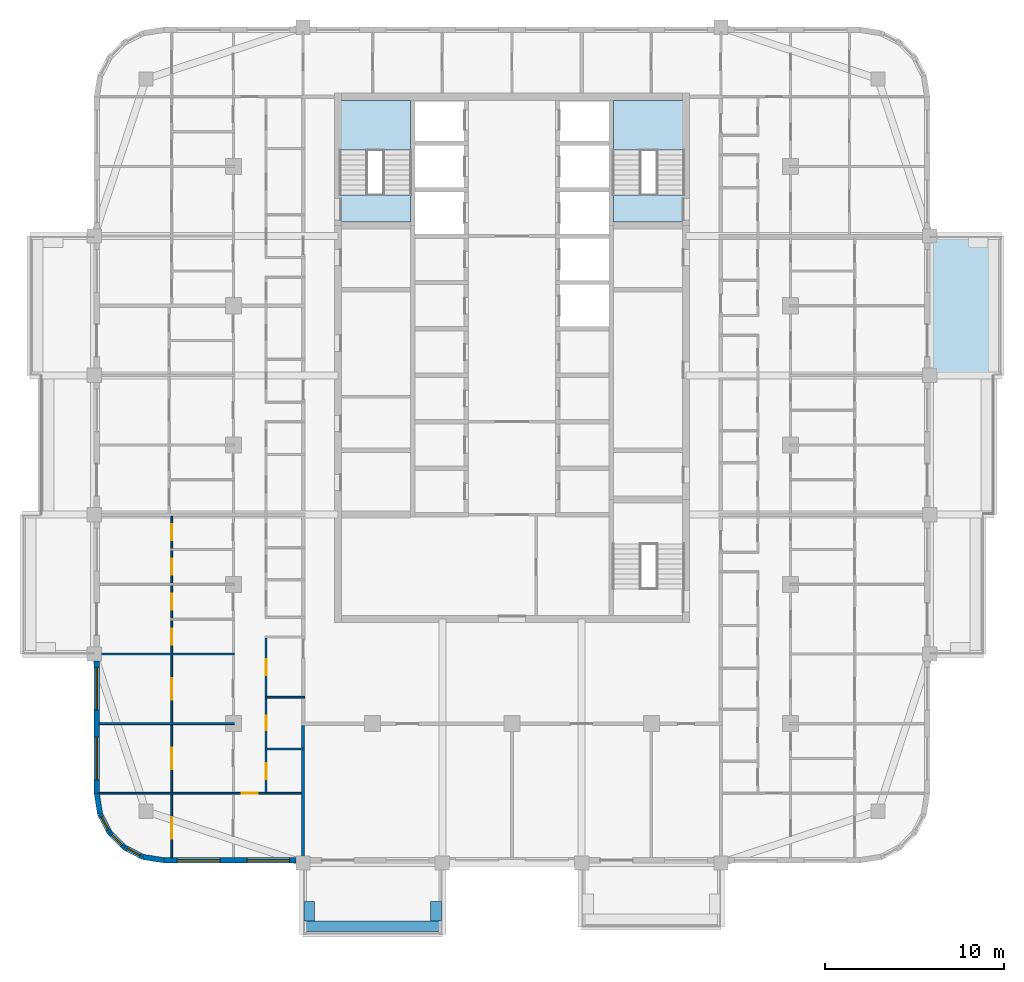
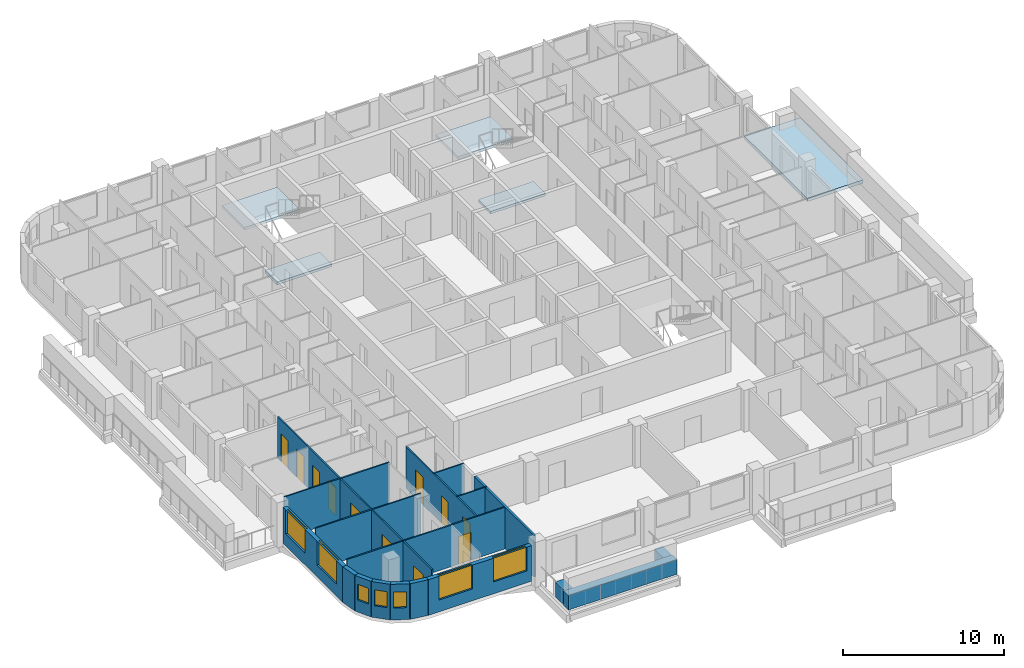
# One storey, part 2 of 16: 18 walls, 11 doors, 7 windows, 5 slabs, 18 openings, 2 elements without a shape of their own.
"""IFC4 building model written with IfcOpenShell, lengths in metres."""

import ifcopenshell
import ifcopenshell.guid

model = None  # the IFC model being written
_history = None  # IfcOwnerHistory: only IFC2X3 demands one
_inside = {}  # id of a spatial element -> (the spatial element, [elements in it])
_under = {}  # id of a project, library or spatial element -> (it, [spatial elements below it])
_declared = {}  # id of a project -> (the project, [libraries it declares])
_typed = {}  # id of a type object -> (the type object, [elements of that type])
_made_of = {}  # id of a material, layer set ... -> (it, [elements and type objects made of it])


def new_model(schema):
    """Start an empty IFC model of exactly this schema.

    Asked for "IFC4X3", IfcOpenShell would pick the latest addendum, in which some entities
    have other attributes; the version numbers below select the first issue.
    IFC2X3 requires an IfcOwnerHistory on every rooted entity: one is made here for all.
    """
    global model, _history
    if schema == "IFC4X3":
        model = ifcopenshell.file(schema_version=(4, 3, 0, 0))
    else:
        model = ifcopenshell.file(schema=schema)
    _inside.clear()
    _under.clear()
    _declared.clear()
    _typed.clear()
    _made_of.clear()
    _history = None
    if model.schema == "IFC2X3":
        org = make("IfcOrganization", Name="unknown")
        user = make(
            "IfcPersonAndOrganization",
            ThePerson=make("IfcPerson", FamilyName="unknown"),
            TheOrganization=org,
        )
        app = make(
            "IfcApplication",
            ApplicationDeveloper=org,
            Version="unknown",
            ApplicationFullName="unknown",
            ApplicationIdentifier="unknown",
        )
        _history = make(
            "IfcOwnerHistory",
            OwningUser=user,
            OwningApplication=app,
            ChangeAction="ADDED",
            CreationDate=0,
        )
    return model


def make(cls, **values):
    """One entity of the class cls with the attributes given. An attribute that is None is left unset."""
    return model.create_entity(
        cls, **{name: value for name, value in values.items() if value is not None}
    )


def rooted(cls, **values):
    """An entity with a GlobalId (a new one), such as an element, a storey or a relation."""
    return make(cls, GlobalId=ifcopenshell.guid.new(), OwnerHistory=_history, **values)


def si_unit(unit_type, name, prefix=None):
    """IfcSIUnit, for example si_unit("LENGTHUNIT", "METRE", prefix="MILLI")."""
    return make("IfcSIUnit", UnitType=unit_type, Prefix=prefix, Name=name)


def assignment(units):
    """IfcUnitAssignment: the units of a project."""
    return None if units is None else make("IfcUnitAssignment", Units=units)


def point(xyz):
    """IfcCartesianPoint."""
    return None if xyz is None else make("IfcCartesianPoint", Coordinates=xyz)


def direction(xyz):
    """IfcDirection."""
    return None if xyz is None else make("IfcDirection", DirectionRatios=xyz)


def frame(location, z_axis=None, x_axis=None):
    """IfcAxis2Placement3D, a coordinate frame: its origin and axes. An axis left out is left unset."""
    return make(
        "IfcAxis2Placement3D",
        Location=point(location),
        Axis=direction(z_axis),
        RefDirection=direction(x_axis),
    )


def frame_2d(location, x_axis=None):
    """IfcAxis2Placement2D, a coordinate frame in the plane: its origin and x axis."""
    return make(
        "IfcAxis2Placement2D", Location=point(location), RefDirection=direction(x_axis)
    )


def origin():
    """The frame at (0, 0, 0) with its axes left unset."""
    return frame((0.0, 0.0, 0.0))


def place(relative_to, where):
    """IfcLocalPlacement: puts the frame where relative to a parent placement (None: the world)."""
    return make(
        "IfcLocalPlacement", PlacementRelTo=relative_to, RelativePlacement=where
    )


def context(
    kind, dimensions, precision=None, world=None, true_north=None, identifier=None
):
    """IfcGeometricRepresentationContext, for example the 3D "Model" context."""
    return make(
        "IfcGeometricRepresentationContext",
        ContextIdentifier=identifier,
        ContextType=kind,
        CoordinateSpaceDimension=dimensions,
        Precision=precision,
        WorldCoordinateSystem=world,
        TrueNorth=true_north,
    )


def subcontext(parent, identifier, kind, view, scale=None):
    """IfcGeometricRepresentationSubContext, for example "Body" below "Model"."""
    return make(
        "IfcGeometricRepresentationSubContext",
        ContextIdentifier=identifier,
        ContextType=kind,
        ParentContext=parent,
        TargetScale=scale,
        TargetView=view,
    )


def project(units=None, contexts=None):
    """IfcProject with its units and contexts."""
    return rooted(
        "IfcProject",
        Name="project",
        RepresentationContexts=contexts,
        UnitsInContext=assignment(units),
    )


def spatial(cls, under=None, at=None, **own):
    """A site, building, storey or space (cls), placed at a placement, below another one or the project."""
    s = rooted(cls, ObjectPlacement=at, **own)
    if under is not None:
        _under.setdefault(under.id(), (under, []))[1].append(s)
    return s


def polyline(points):
    """IfcPolyline through the points."""
    return make("IfcPolyline", Points=[point(p) for p in points])


def profile(cls, at=None, kind="AREA", **sizes):
    """A parametric profile (cls). Its sizes go by their IFC names, for example OverallWidth=200.0."""
    return make(cls, ProfileType=kind, Position=at, **sizes)


def rectangle(**sizes):
    """IfcRectangleProfileDef."""
    return profile("IfcRectangleProfileDef", **sizes)


def outline(outer, holes=None, kind="AREA"):
    """IfcArbitraryClosedProfileDef: a profile drawn as a closed curve; with holes, ...WithVoids."""
    if holes is None:
        return make("IfcArbitraryClosedProfileDef", ProfileType=kind, OuterCurve=outer)
    return make(
        "IfcArbitraryProfileDefWithVoids",
        ProfileType=kind,
        OuterCurve=outer,
        InnerCurves=holes,
    )


def extrude(swept, where, along, depth):
    """IfcExtrudedAreaSolid: the profile swept, set in the frame where, extruded along a direction by depth."""
    return make(
        "IfcExtrudedAreaSolid",
        SweptArea=swept,
        Position=where,
        ExtrudedDirection=direction(along),
        Depth=depth,
    )


def shape(context_of_items, identifier, shape_type, items):
    """IfcShapeRepresentation: the items that make up one representation, for example the "Body"."""
    return make(
        "IfcShapeRepresentation",
        ContextOfItems=context_of_items,
        RepresentationIdentifier=identifier,
        RepresentationType=shape_type,
        Items=items,
    )


def material(Name=None, Category=None):
    """IfcMaterial."""
    return make("IfcMaterial", Name=Name, Category=Category)


def layer(
    of_material, thickness, ventilated=None, Name=None, Category=None, Priority=None
):
    """IfcMaterialLayer: one layer of a wall or slab, of a material (None: an air gap)."""
    return make(
        "IfcMaterialLayer",
        Material=of_material,
        LayerThickness=thickness,
        IsVentilated=ventilated,
        Name=Name,
        Category=Category,
        Priority=Priority,
    )


def layer_set(layers, Name=None):
    """IfcMaterialLayerSet."""
    return make("IfcMaterialLayerSet", MaterialLayers=layers, LayerSetName=Name)


def made_of(thing, what):
    """Note that an element or type object is made of a material, layer set ...; save() writes the relation."""
    if what is not None:
        _made_of.setdefault(what.id(), (what, []))[1].append(thing)
    return thing


def type_object(cls, material=None, **own):
    """A type object (cls), such as IfcWallType, which elements share."""
    return made_of(rooted(cls, **own), material)


def element(
    cls,
    number,
    at=None,
    inside=None,
    cuts=None,
    type_object=None,
    material=None,
    context=None,
    identifier="Body",
    shape_type=None,
    held_by="IfcProductDefinitionShape",
    body=None,
    shapes=None,
    **own,
):
    """One element of the class cls, such as IfcWall. Its Tag is "e" and its number.

    at: its placement. inside: the storey or other place that contains it. cuts: it is an
    opening in that element (IfcRelVoidsElement). A single representation is given by context,
    identifier, shape_type and body (its items); several are given by shapes. held_by: the class
    of the entity that holds the representations. save() writes the other relations.
    """
    e = rooted(cls, Tag="e%d" % number, ObjectPlacement=at, **own)
    if body is not None:
        shapes = [shape(context, identifier, shape_type, body)]
    if shapes is not None:
        e.Representation = make(held_by, Representations=shapes)
    if inside is not None:
        _inside.setdefault(inside.id(), (inside, []))[1].append(e)
    if cuts is not None:
        rooted(
            "IfcRelVoidsElement", RelatingBuildingElement=cuts, RelatedOpeningElement=e
        )
    if type_object is not None:
        _typed.setdefault(type_object.id(), (type_object, []))[1].append(e)
    return made_of(e, material)


def fill(opening, filler):
    """IfcRelFillsElement: the door or window that sits in an opening."""
    return rooted(
        "IfcRelFillsElement",
        RelatingOpeningElement=opening,
        RelatedBuildingElement=filler,
    )


def aggregate(whole, parts):
    """IfcRelAggregates: a whole, such as a stair, and the parts it consists of."""
    return rooted("IfcRelAggregates", RelatingObject=whole, RelatedObjects=parts)


def save(model, path):
    """Write the relations noted so far, then the file.

    IfcRelAggregates (storeys below a building ...), IfcRelContainedInSpatialStructure (elements
    in a storey), IfcRelDefinesByType, IfcRelAssociatesMaterial and IfcRelDeclares: one each for
    every whole, place, type object, material and project.
    """
    for whole, parts in _under.values():
        aggregate(whole, parts)
    for where, things in _inside.values():
        rooted(
            "IfcRelContainedInSpatialStructure",
            RelatedElements=things,
            RelatingStructure=where,
        )
    for kind, things in _typed.values():
        rooted("IfcRelDefinesByType", RelatedObjects=things, RelatingType=kind)
    for what, things in _made_of.values():
        rooted("IfcRelAssociatesMaterial", RelatedObjects=things, RelatingMaterial=what)
    for by, libraries in _declared.values():
        rooted("IfcRelDeclares", RelatingContext=by, RelatedDefinitions=libraries)
    model.write(path)


model = new_model("IFC4")

# Units and contexts
model_context = context("Model", 3, precision=1e-05, world=origin(), true_north=direction((0.0, 1.0)))
body_context = subcontext(model_context, "Body", "Model", "MODEL_VIEW")
ifc_project = project(units=[si_unit("LENGTHUNIT", "METRE"), si_unit("AREAUNIT", "SQUARE_METRE"), si_unit("VOLUMEUNIT", "CUBIC_METRE"), si_unit("PLANEANGLEUNIT", "RADIAN"), si_unit("MASSUNIT", "GRAM", prefix="KILO")], contexts=[model_context])

# Site, building, storey
site_placement = place(None, origin())
site = spatial("IfcSite", under=ifc_project, at=site_placement, CompositionType="ELEMENT")
building_placement = place(site_placement, origin())
building = spatial("IfcBuilding", under=site, at=building_placement, Name="Ludao Terraces", CompositionType="ELEMENT")
storey_placement = place(building_placement, frame((0.0, 0.0, 224.5)))
storey = spatial("IfcBuildingStorey", under=building, at=storey_placement, Name="L61", CompositionType="ELEMENT", Elevation=224.5)

# Slab
ifc_material_1 = material(Name="Concrete C40", Category="concrete")
ifc_layer_1 = layer(ifc_material_1, 0.25)
ifc_layer_set_1 = layer_set([ifc_layer_1], Name="Balcony slab 250 C40")
slab_type_1 = type_object("IfcSlabType", Name="Balcony slab 250 C40", PredefinedType="USERDEFINED", material=ifc_layer_set_1)
slab_1_placement = place(storey_placement, frame((0.0, 0.0, -0.25)))
element("IfcSlab", 1, at=slab_1_placement, inside=storey, type_object=slab_type_1, Name="Balcony L61 E3", ObjectType="BALCONY", PredefinedType="USERDEFINED", context=body_context, shape_type="SweptSolid", body=[
    extrude(outline(polyline([(108.39990234375, 68.89990234375), (112.39990234375, 68.89990234375), (112.39990234375, 76.699951171875), (108.39990234375, 76.699951171875), (108.39990234375, 68.89990234375)])), origin(), (0.0, 0.0, 1.0), 0.25),
])

# Stair, slabs
stair_type = type_object("IfcStairType", Name="INT Stair", PredefinedType="HALF_TURN_STAIR", material=ifc_material_1)
stair_1_placement = place(storey_placement, origin())
stair_1 = element("IfcStair", 2, at=stair_1_placement, inside=storey, type_object=stair_type, Name="EXIT STAIR 1", PredefinedType="HALF_TURN_STAIR")
ifc_layer_2 = layer(ifc_material_1, 0.199951171875)
ifc_layer_set_2 = layer_set([ifc_layer_2], Name="INT Stair landing 200")
slab_type_2 = type_object("IfcSlabType", Name="INT Stair landing 200", PredefinedType="LANDING", material=ifc_layer_set_2)
slab_2_placement = place(storey_placement, frame((0.0, 0.0, 1.5)))
slab_2 = element("IfcSlab", 3, at=slab_2_placement, type_object=slab_type_2, Name="ST1 landing 1", PredefinedType="LANDING", context=body_context, shape_type="SweptSolid", body=[
    extrude(outline(polyline([(75.375, 81.52001953125), (79.324951171875, 81.52001953125), (79.324951171875, 84.300048828125), (75.375, 84.300048828125), (75.375, 81.52001953125)])), origin(), (0.0, 0.0, 1.0), 0.199951171875),
])
slab_3_placement = place(storey_placement, frame((0.0, 0.0, -0.199951171875)))
slab_3 = element("IfcSlab", 4, at=slab_3_placement, type_object=slab_type_2, Name="ST1 landing 2", PredefinedType="LANDING", context=body_context, shape_type="SweptSolid", body=[
    extrude(outline(polyline([(75.375, 77.5), (79.324951171875, 77.5), (79.324951171875, 79.0), (75.375, 79.0), (75.375, 77.5)])), origin(), (0.0, 0.0, 1.0), 0.199951171875),
])
aggregate(stair_1, [slab_2, slab_3])

stair_2_placement = place(storey_placement, origin())
stair_2 = element("IfcStair", 5, at=stair_2_placement, inside=storey, type_object=stair_type, Name="EXIT STAIR 2", PredefinedType="HALF_TURN_STAIR")
slab_4_placement = place(storey_placement, frame((0.0, 0.0, 1.5)))
slab_4 = element("IfcSlab", 6, at=slab_4_placement, type_object=slab_type_2, Name="ST2 landing 1", PredefinedType="LANDING", context=body_context, shape_type="SweptSolid", body=[
    extrude(outline(polyline([(90.675048828125, 81.52001953125), (94.625, 81.52001953125), (94.625, 84.300048828125), (90.675048828125, 84.300048828125), (90.675048828125, 81.52001953125)])), origin(), (0.0, 0.0, 1.0), 0.199951171875),
])
slab_5_placement = place(storey_placement, frame((0.0, 0.0, -0.199951171875)))
slab_5 = element("IfcSlab", 7, at=slab_5_placement, type_object=slab_type_2, Name="ST2 landing 2", PredefinedType="LANDING", context=body_context, shape_type="SweptSolid", body=[
    extrude(outline(polyline([(90.675048828125, 77.5), (94.625, 77.5), (94.625, 79.0), (90.675048828125, 79.0), (90.675048828125, 77.5)])), origin(), (0.0, 0.0, 1.0), 0.199951171875),
])
aggregate(stair_2, [slab_4, slab_5])

# Walls
ifc_layer_3 = layer(ifc_material_1, 0.60009765625)
ifc_layer_set_3 = layer_set([ifc_layer_3], Name="ENV Planter trough 600")
wall_type_1 = type_object("IfcWallType", Name="ENV Planter trough 600", PredefinedType="USERDEFINED", material=ifc_layer_set_3)
wall_1_placement = place(storey_placement, frame((73.300048828125, 38.050048828125, 0.0), z_axis=(0.0, 0.0, 1.0), x_axis=(1.0, 0.0, 0.0)))
element("IfcWall", 8, at=wall_1_placement, inside=storey, type_object=wall_type_1, Name="PL-L61-S1", ObjectType="PLANTER", PredefinedType="USERDEFINED", context=body_context, shape_type="SweptSolid", body=[
    extrude(rectangle(XDim=7.800048828125, YDim=0.60009765625, at=frame_2d((3.89990234375, 0.0))), origin(), (0.0, 0.0, 1.0), 1.10009765625),
])
for number, where, z_axis, x_axis, name in (
    (9, (73.64990234375, 38.35009765625, 0.0), (0.0, 0.0, 1.0), (0.0, 1.0, 0.0), "PL-L61-S1-SA"),
    (10, (80.75, 38.35009765625, 0.0), (0.0, 0.0, 1.0), (0.0, 1.0, 0.0), "PL-L61-S1-SB"),
):
    element("IfcWall", number, at=place(storey_placement, frame(where, z_axis=z_axis, x_axis=x_axis)), inside=storey, type_object=wall_type_1, Name=name, ObjectType="PLANTER", PredefinedType="USERDEFINED", context=body_context, shape_type="SweptSolid", body=[
        extrude(rectangle(XDim=1.099853515625, YDim=0.60009765625, at=frame_2d((0.5498046875, 0.0))), origin(), (0.0, 0.0, 1.0), 1.10009765625),
    ])

# Wall, openings, windows
ifc_material_2 = material(Name="Granite cladding", Category="masonry")
ifc_layer_4 = layer(ifc_material_2, 0.0400390625, Category="stone")
ifc_material_3 = material(Name="Mineral wool")
ifc_layer_5 = layer(ifc_material_3, 0.06005859375)
ifc_layer_6 = layer(ifc_material_1, 0.199951171875, Category="concrete")
ifc_layer_set_4 = layer_set([ifc_layer_4, ifc_layer_5, ifc_layer_6], Name="ENV Stone-clad wall 300")
wall_type_2 = type_object("IfcWallType", Name="ENV Stone-clad wall 300", PredefinedType="SOLIDWALL", material=ifc_layer_set_4)
wall_2_placement = place(storey_placement, frame((65.5, 41.75, 0.0), z_axis=(0.0, 0.0, 1.0), x_axis=(1.0, 0.0, 0.0)))
wall_2 = element("IfcWall", 11, at=wall_2_placement, inside=storey, type_object=wall_type_2, Name="EW-L61-S1", PredefinedType="SOLIDWALL", context=body_context, shape_type="SweptSolid", body=[
    extrude(rectangle(XDim=7.39990234375, YDim=0.300048828125, at=frame_2d((3.699951171875, 0.0))), origin(), (0.0, 0.0, 1.0), 2.699951171875),
])
opening_1_placement = place(wall_2_placement, frame((0.75, 0.0, 0.89990234375)))
opening_1 = element("IfcOpeningElement", 12, at=opening_1_placement, cuts=wall_2, Name="Opening W1", PredefinedType="OPENING", context=body_context, shape_type="SweptSolid", body=[
    extrude(rectangle(XDim=2.39990234375, YDim=1.800048828125, at=frame_2d((1.199951171875, 0.89990234375))), frame((0.0, 0.16015625, 0.0), z_axis=(0.0, -1.0, 0.0), x_axis=(1.0, 0.0, 0.0)), (0.0, 0.0, 1.0), 0.320068359375),
])
opening_2_placement = place(wall_2_placement, frame((4.64990234375, 0.0, 0.89990234375)))
opening_2 = element("IfcOpeningElement", 13, at=opening_2_placement, cuts=wall_2, Name="Opening W1", PredefinedType="OPENING", context=body_context, shape_type="SweptSolid", body=[
    extrude(rectangle(XDim=2.39990234375, YDim=1.800048828125, at=frame_2d((1.199951171875, 0.89990234375))), frame((0.0, 0.16015625, 0.0), z_axis=(0.0, -1.0, 0.0), x_axis=(1.0, 0.0, 0.0)), (0.0, 0.0, 1.0), 0.320068359375),
])
ifc_material_4 = material(Name="Clear glass in aluminium frame", Category="aluminium")
ifc_layer_7 = layer(ifc_material_4, 0.06005859375)
ifc_layer_set_5 = layer_set([ifc_layer_7], Name="ENV Window W1 2400x1800")
window_type_1 = type_object("IfcWindowType", Name="ENV Window W1 2400x1800", PartitioningType="DOUBLE_PANEL_VERTICAL", PredefinedType="WINDOW", material=ifc_layer_set_5)
window_1_placement = place(opening_1_placement, origin())
window_1 = element("IfcWindow", 14, at=window_1_placement, inside=storey, type_object=window_type_1, Name="W-L61-S1-1", OverallHeight=1.800048828125, OverallWidth=2.39990234375, PartitioningType="DOUBLE_PANEL_VERTICAL", PredefinedType="WINDOW", context=body_context, shape_type="SweptSolid", body=[
    extrude(rectangle(XDim=2.39990234375, YDim=1.800048828125, at=frame_2d((1.199951171875, 0.89990234375))), frame((0.0, 0.030029296875, 0.0), z_axis=(0.0, -1.0, 0.0), x_axis=(1.0, 0.0, 0.0)), (0.0, 0.0, 1.0), 0.06005859375),
])
fill(opening_1, window_1)
window_2_placement = place(opening_2_placement, origin())
window_2 = element("IfcWindow", 15, at=window_2_placement, inside=storey, type_object=window_type_1, Name="W-L61-S1-2", OverallHeight=1.800048828125, OverallWidth=2.39990234375, PartitioningType="DOUBLE_PANEL_VERTICAL", PredefinedType="WINDOW", context=body_context, shape_type="SweptSolid", body=[
    extrude(rectangle(XDim=2.39990234375, YDim=1.800048828125, at=frame_2d((1.199951171875, 0.89990234375))), frame((0.0, 0.030029296875, 0.0), z_axis=(0.0, -1.0, 0.0), x_axis=(1.0, 0.0, 0.0)), (0.0, 0.0, 1.0), 0.06005859375),
])
fill(opening_2, window_2)

wall_3_placement = place(storey_placement, frame((61.75, 45.5, 0.0), z_axis=(0.0, 0.0, 1.0), x_axis=(0.0, 1.0, 0.0)))
wall_3 = element("IfcWall", 16, at=wall_3_placement, inside=storey, type_object=wall_type_2, Name="EW-L61-W1", PredefinedType="SOLIDWALL", context=body_context, shape_type="SweptSolid", body=[
    extrude(rectangle(XDim=7.39990234375, YDim=0.300048828125, at=frame_2d((3.699951171875, 0.0))), origin(), (0.0, 0.0, 1.0), 2.699951171875),
])
opening_3_placement = place(wall_3_placement, frame((0.75, 0.0, 0.89990234375)))
opening_3 = element("IfcOpeningElement", 17, at=opening_3_placement, cuts=wall_3, Name="Opening W1", PredefinedType="OPENING", context=body_context, shape_type="SweptSolid", body=[
    extrude(rectangle(XDim=2.39990234375, YDim=1.800048828125, at=frame_2d((1.199951171875, 0.89990234375))), frame((0.0, 0.16015625, 0.0), z_axis=(0.0, -1.0, 0.0), x_axis=(1.0, 0.0, 0.0)), (0.0, 0.0, 1.0), 0.320068359375),
])
opening_4_placement = place(wall_3_placement, frame((4.64990234375, 0.0, 0.89990234375)))
opening_4 = element("IfcOpeningElement", 18, at=opening_4_placement, cuts=wall_3, Name="Opening W1", PredefinedType="OPENING", context=body_context, shape_type="SweptSolid", body=[
    extrude(rectangle(XDim=2.39990234375, YDim=1.800048828125, at=frame_2d((1.199951171875, 0.89990234375))), frame((0.0, 0.16015625, 0.0), z_axis=(0.0, -1.0, 0.0), x_axis=(1.0, 0.0, 0.0)), (0.0, 0.0, 1.0), 0.320068359375),
])
window_3_placement = place(opening_3_placement, origin())
window_3 = element("IfcWindow", 19, at=window_3_placement, inside=storey, type_object=window_type_1, Name="W-L61-W1-1", OverallHeight=1.800048828125, OverallWidth=2.39990234375, PartitioningType="DOUBLE_PANEL_VERTICAL", PredefinedType="WINDOW", context=body_context, shape_type="SweptSolid", body=[
    extrude(rectangle(XDim=2.39990234375, YDim=1.800048828125, at=frame_2d((1.199951171875, 0.89990234375))), frame((0.0, 0.030029296875, 0.0), z_axis=(0.0, -1.0, 0.0), x_axis=(1.0, 0.0, 0.0)), (0.0, 0.0, 1.0), 0.06005859375),
])
fill(opening_3, window_3)
window_4_placement = place(opening_4_placement, origin())
window_4 = element("IfcWindow", 20, at=window_4_placement, inside=storey, type_object=window_type_1, Name="W-L61-W1-2", OverallHeight=1.800048828125, OverallWidth=2.39990234375, PartitioningType="DOUBLE_PANEL_VERTICAL", PredefinedType="WINDOW", context=body_context, shape_type="SweptSolid", body=[
    extrude(rectangle(XDim=2.39990234375, YDim=1.800048828125, at=frame_2d((1.199951171875, 0.89990234375))), frame((0.0, 0.030029296875, 0.0), z_axis=(0.0, -1.0, 0.0), x_axis=(1.0, 0.0, 0.0)), (0.0, 0.0, 1.0), 0.06005859375),
])
fill(opening_4, window_4)

# Wall
wall_4_placement = place(storey_placement, frame((61.75, 45.5, 0.0), z_axis=(0.0, 0.0, 1.0), x_axis=(0.156496880861, -0.987678452879, 0.0)))
element("IfcWall", 21, at=wall_4_placement, inside=storey, type_object=wall_type_2, Name="EW-L61-SW1", PredefinedType="SOLIDWALL", context=body_context, shape_type="SweptSolid", body=[
    extrude(rectangle(XDim=1.173095703125, YDim=0.300048828125, at=frame_2d((0.58642578125, 0.0))), origin(), (0.0, 0.0, 1.0), 2.699951171875),
])

# Wall, opening, window
wall_5_placement = place(storey_placement, frame((61.93359375, 44.34130859375, 0.0), z_axis=(0.0, 0.0, 1.0), x_axis=(0.454025524128, -0.890988677504, 0.0)))
wall_5 = element("IfcWall", 22, at=wall_5_placement, inside=storey, type_object=wall_type_2, Name="EW-L61-SW2", PredefinedType="SOLIDWALL", context=body_context, shape_type="SweptSolid", body=[
    extrude(rectangle(XDim=1.17333984375, YDim=0.300048828125, at=frame_2d((0.586669921875, 0.0))), origin(), (0.0, 0.0, 1.0), 2.699951171875),
])
opening_5_placement = place(wall_5_placement, frame((0.1865234375, 0.0, 0.89990234375)))
opening_5 = element("IfcOpeningElement", 23, at=opening_5_placement, cuts=wall_5, Name="Opening W3", PredefinedType="OPENING", context=body_context, shape_type="SweptSolid", body=[
    extrude(rectangle(XDim=0.800048828125, YDim=1.199951171875, at=frame_2d((0.39990234375, 0.60009765625))), frame((0.0, 0.16015625, 0.0), z_axis=(0.0, -1.0, 0.0), x_axis=(1.0, 0.0, 0.0)), (0.0, 0.0, 1.0), 0.320068359375),
])
ifc_layer_8 = layer(ifc_material_4, 0.06005859375)
ifc_layer_set_6 = layer_set([ifc_layer_8], Name="ENV Window W3 800x1200")
window_type_2 = type_object("IfcWindowType", Name="ENV Window W3 800x1200", PartitioningType="SINGLE_PANEL", PredefinedType="WINDOW", material=ifc_layer_set_6)
window_5_placement = place(opening_5_placement, origin())
window_5 = element("IfcWindow", 24, at=window_5_placement, inside=storey, type_object=window_type_2, Name="W-L61-SW2", OverallHeight=1.199951171875, OverallWidth=0.800048828125, PartitioningType="SINGLE_PANEL", PredefinedType="WINDOW", context=body_context, shape_type="SweptSolid", body=[
    extrude(rectangle(XDim=0.800048828125, YDim=1.199951171875, at=frame_2d((0.39990234375, 0.60009765625))), frame((0.0, 0.030029296875, 0.0), z_axis=(0.0, -1.0, 0.0), x_axis=(1.0, 0.0, 0.0)), (0.0, 0.0, 1.0), 0.06005859375),
])
fill(opening_5, window_5)

wall_6_placement = place(storey_placement, frame((62.46630859375, 43.2958984375, 0.0), z_axis=(0.0, 0.0, 1.0), x_axis=(0.707106781187, -0.707106781187, 0.0)))
wall_6 = element("IfcWall", 25, at=wall_6_placement, inside=storey, type_object=wall_type_2, Name="EW-L61-SW3", PredefinedType="SOLIDWALL", context=body_context, shape_type="SweptSolid", body=[
    extrude(rectangle(XDim=1.173095703125, YDim=0.300048828125, at=frame_2d((0.58642578125, 0.0))), origin(), (0.0, 0.0, 1.0), 2.699951171875),
])
opening_6_placement = place(wall_6_placement, frame((0.1865234375, 0.0, 0.89990234375)))
opening_6 = element("IfcOpeningElement", 26, at=opening_6_placement, cuts=wall_6, Name="Opening W3", PredefinedType="OPENING", context=body_context, shape_type="SweptSolid", body=[
    extrude(rectangle(XDim=0.800048828125, YDim=1.199951171875, at=frame_2d((0.39990234375, 0.60009765625))), frame((0.0, 0.16015625, 0.0), z_axis=(0.0, -1.0, 0.0), x_axis=(1.0, 0.0, 0.0)), (0.0, 0.0, 1.0), 0.320068359375),
])
window_6_placement = place(opening_6_placement, origin())
window_6 = element("IfcWindow", 27, at=window_6_placement, inside=storey, type_object=window_type_2, Name="W-L61-SW3", OverallHeight=1.199951171875, OverallWidth=0.800048828125, PartitioningType="SINGLE_PANEL", PredefinedType="WINDOW", context=body_context, shape_type="SweptSolid", body=[
    extrude(rectangle(XDim=0.800048828125, YDim=1.199951171875, at=frame_2d((0.39990234375, 0.60009765625))), frame((0.0, 0.030029296875, 0.0), z_axis=(0.0, -1.0, 0.0), x_axis=(1.0, 0.0, 0.0)), (0.0, 0.0, 1.0), 0.06005859375),
])
fill(opening_6, window_6)

wall_7_placement = place(storey_placement, frame((63.2958984375, 42.46630859375, 0.0), z_axis=(0.0, 0.0, 1.0), x_axis=(0.890988677504, -0.454025524128, 0.0)))
wall_7 = element("IfcWall", 28, at=wall_7_placement, inside=storey, type_object=wall_type_2, Name="EW-L61-SW4", PredefinedType="SOLIDWALL", context=body_context, shape_type="SweptSolid", body=[
    extrude(rectangle(XDim=1.17333984375, YDim=0.300048828125, at=frame_2d((0.586669921875, 0.0))), origin(), (0.0, 0.0, 1.0), 2.699951171875),
])
opening_7_placement = place(wall_7_placement, frame((0.1865234375, 0.0, 0.89990234375)))
opening_7 = element("IfcOpeningElement", 29, at=opening_7_placement, cuts=wall_7, Name="Opening W3", PredefinedType="OPENING", context=body_context, shape_type="SweptSolid", body=[
    extrude(rectangle(XDim=0.800048828125, YDim=1.199951171875, at=frame_2d((0.39990234375, 0.60009765625))), frame((0.0, 0.16015625, 0.0), z_axis=(0.0, -1.0, 0.0), x_axis=(1.0, 0.0, 0.0)), (0.0, 0.0, 1.0), 0.320068359375),
])
window_7_placement = place(opening_7_placement, origin())
window_7 = element("IfcWindow", 30, at=window_7_placement, inside=storey, type_object=window_type_2, Name="W-L61-SW4", OverallHeight=1.199951171875, OverallWidth=0.800048828125, PartitioningType="SINGLE_PANEL", PredefinedType="WINDOW", context=body_context, shape_type="SweptSolid", body=[
    extrude(rectangle(XDim=0.800048828125, YDim=1.199951171875, at=frame_2d((0.39990234375, 0.60009765625))), frame((0.0, 0.030029296875, 0.0), z_axis=(0.0, -1.0, 0.0), x_axis=(1.0, 0.0, 0.0)), (0.0, 0.0, 1.0), 0.06005859375),
])
fill(opening_7, window_7)

# Wall
wall_8_placement = place(storey_placement, frame((64.34130859375, 41.93359375, 0.0), z_axis=(0.0, 0.0, 1.0), x_axis=(0.987678452879, -0.156496880861, 0.0)))
element("IfcWall", 31, at=wall_8_placement, inside=storey, type_object=wall_type_2, Name="EW-L61-SW5", PredefinedType="SOLIDWALL", context=body_context, shape_type="SweptSolid", body=[
    extrude(rectangle(XDim=1.173095703125, YDim=0.300048828125, at=frame_2d((0.58642578125, 0.0))), origin(), (0.0, 0.0, 1.0), 2.699951171875),
])

# Wall, opening, door
ifc_material_5 = material(Name="Gypsum plasterboard", Category="gypsum")
ifc_layer_9 = layer(ifc_material_5, 0.012451171875, Category="gypsum")
ifc_layer_10 = layer(ifc_material_3, 0.06005859375, Name="insulation")
ifc_material_6 = material(Name="Steel Q235", Category="steel")
ifc_layer_11 = layer(ifc_material_6, 0.014892578125, Name="stud")
ifc_layer_12 = layer(ifc_material_5, 0.012451171875, Category="gypsum")
ifc_layer_set_7 = layer_set([ifc_layer_9, ifc_layer_10, ifc_layer_11, ifc_layer_12], Name="INT Partition 100")
wall_type_3 = type_object("IfcWallType", Name="INT Partition 100", PredefinedType="PARTITIONING", material=ifc_layer_set_7)
wall_9_placement = place(storey_placement, frame((61.900146484375, 45.5, 0.0), z_axis=(0.0, 0.0, 1.0), x_axis=(1.0, 0.0, 0.0)))
wall_9 = element("IfcWall", 32, at=wall_9_placement, inside=storey, type_object=wall_type_3, Name="PW-L61-PW000", PredefinedType="PARTITIONING", context=body_context, shape_type="SweptSolid", body=[
    extrude(rectangle(XDim=11.474853515625, YDim=0.10009765625, at=frame_2d((5.7373046875, 0.0))), origin(), (0.0, 0.0, 1.0), 3.14990234375),
])
opening_8_placement = place(wall_9_placement, frame((7.965087890625, 0.0, 0.0)))
opening_8 = element("IfcOpeningElement", 33, at=opening_8_placement, cuts=wall_9, Name="Opening R22-005", PredefinedType="OPENING", context=body_context, shape_type="SweptSolid", body=[
    extrude(rectangle(XDim=0.89990234375, YDim=2.10009765625, at=frame_2d((0.449951171875, 1.050048828125))), frame((0.0, 0.06005859375, 0.0), z_axis=(0.0, -1.0, 0.0), x_axis=(1.0, 0.0, 0.0)), (0.0, 0.0, 1.0), 0.1201171875),
])
ifc_material_7 = material(Name="Timber door leaf", Category="wood")
door_type_1 = type_object("IfcDoorType", Name="INT Room door 900", OperationType="SINGLE_SWING_LEFT", PredefinedType="DOOR", material=ifc_material_7)
door_1_placement = place(opening_8_placement, origin())
door_1 = element("IfcDoor", 34, at=door_1_placement, inside=storey, type_object=door_type_1, Name="DOOR 005", OperationType="SINGLE_SWING_RIGHT", OverallHeight=2.10009765625, OverallWidth=0.89990234375, PredefinedType="DOOR", context=body_context, shape_type="SweptSolid", body=[
    extrude(rectangle(XDim=0.89990234375, YDim=2.10009765625, at=frame_2d((0.449951171875, 1.050048828125))), frame((0.0, 0.02490234375, 0.0), z_axis=(0.0, -1.0, 0.0), x_axis=(1.0, 0.0, 0.0)), (0.0, 0.0, 1.0), 0.050048828125),
])
fill(opening_8, door_1)

# Walls
wall_10_placement = place(storey_placement, frame((71.18017578125, 47.97998046875, 0.0), z_axis=(0.0, 0.0, 1.0), x_axis=(1.0, 0.0, 0.0)))
element("IfcWall", 35, at=wall_10_placement, inside=storey, type_object=wall_type_3, Name="PW-L61-PW004", PredefinedType="PARTITIONING", context=body_context, shape_type="SweptSolid", body=[
    extrude(rectangle(XDim=2.19482421875, YDim=0.10009765625, at=frame_2d((1.097412109375, 0.0))), origin(), (0.0, 0.0, 1.0), 3.14990234375),
])
wall_11_placement = place(storey_placement, frame((61.900146484375, 49.39990234375, 0.0), z_axis=(0.0, 0.0, 1.0), x_axis=(1.0, 0.0, 0.0)))
element("IfcWall", 36, at=wall_11_placement, inside=storey, type_object=wall_type_3, Name="PW-L61-PW005", PredefinedType="PARTITIONING", context=body_context, shape_type="SweptSolid", body=[
    extrude(rectangle(XDim=7.550048828125, YDim=0.10009765625, at=frame_2d((3.77490234375, 0.0))), origin(), (0.0, 0.0, 1.0), 3.14990234375),
])
wall_12_placement = place(storey_placement, frame((71.18017578125, 50.8798828125, 0.0), z_axis=(0.0, 0.0, 1.0), x_axis=(1.0, 0.0, 0.0)))
element("IfcWall", 37, at=wall_12_placement, inside=storey, type_object=wall_type_3, Name="PW-L61-PW009", PredefinedType="PARTITIONING", context=body_context, shape_type="SweptSolid", body=[
    extrude(rectangle(XDim=2.219970703125, YDim=0.10009765625, at=frame_2d((1.10986328125, 0.0))), origin(), (0.0, 0.0, 1.0), 3.14990234375),
])
wall_13_placement = place(storey_placement, frame((61.900146484375, 53.300048828125, 0.0), z_axis=(0.0, 0.0, 1.0), x_axis=(1.0, 0.0, 0.0)))
element("IfcWall", 38, at=wall_13_placement, inside=storey, type_object=wall_type_3, Name="PW-L61-PW011", PredefinedType="PARTITIONING", context=body_context, shape_type="SweptSolid", body=[
    extrude(rectangle(XDim=7.550048828125, YDim=0.10009765625, at=frame_2d((3.77490234375, 0.0))), origin(), (0.0, 0.0, 1.0), 3.14990234375),
])

# Wall, openings, doors
wall_14_placement = place(storey_placement, frame((65.949951171875, 41.900146484375, 0.0), z_axis=(0.0, 0.0, 1.0), x_axis=(0.0, 1.0, 0.0)))
wall_14 = element("IfcWall", 39, at=wall_14_placement, inside=storey, type_object=wall_type_3, Name="PW-L61-PW070", PredefinedType="PARTITIONING", context=body_context, shape_type="SweptSolid", body=[
    extrude(rectangle(XDim=19.099853515625, YDim=0.10009765625, at=frame_2d((9.5498046875, 0.0))), origin(), (0.0, 0.0, 1.0), 3.14990234375),
])
opening_9_placement = place(wall_14_placement, frame((1.050048828125, 0.0, 0.0)))
opening_9 = element("IfcOpeningElement", 40, at=opening_9_placement, cuts=wall_14, Name="Opening R22-001", PredefinedType="OPENING", context=body_context, shape_type="SweptSolid", body=[
    extrude(rectangle(XDim=1.199951171875, YDim=2.10009765625, at=frame_2d((0.60009765625, 1.050048828125))), frame((0.0, 0.06005859375, 0.0), z_axis=(0.0, -1.0, 0.0), x_axis=(1.0, 0.0, 0.0)), (0.0, 0.0, 1.0), 0.1201171875),
])
opening_10_placement = place(wall_14_placement, frame((4.949951171875, 0.0, 0.0)))
opening_10 = element("IfcOpeningElement", 41, at=opening_10_placement, cuts=wall_14, Name="Opening R22-010", PredefinedType="OPENING", context=body_context, shape_type="SweptSolid", body=[
    extrude(rectangle(XDim=1.199951171875, YDim=2.10009765625, at=frame_2d((0.60009765625, 1.050048828125))), frame((0.0, 0.06005859375, 0.0), z_axis=(0.0, -1.0, 0.0), x_axis=(1.0, 0.0, 0.0)), (0.0, 0.0, 1.0), 0.1201171875),
])
opening_11_placement = place(wall_14_placement, frame((8.85009765625, 0.0, 0.0)))
opening_11 = element("IfcOpeningElement", 42, at=opening_11_placement, cuts=wall_14, Name="Opening R22-019", PredefinedType="OPENING", context=body_context, shape_type="SweptSolid", body=[
    extrude(rectangle(XDim=1.199951171875, YDim=2.10009765625, at=frame_2d((0.60009765625, 1.050048828125))), frame((0.0, 0.06005859375, 0.0), z_axis=(0.0, -1.0, 0.0), x_axis=(1.0, 0.0, 0.0)), (0.0, 0.0, 1.0), 0.1201171875),
])
opening_12_placement = place(wall_14_placement, frame((11.925048828125, 0.0, 0.0)))
opening_12 = element("IfcOpeningElement", 43, at=opening_12_placement, cuts=wall_14, Name="Opening R22-027", PredefinedType="OPENING", context=body_context, shape_type="SweptSolid", body=[
    extrude(rectangle(XDim=0.89990234375, YDim=2.10009765625, at=frame_2d((0.449951171875, 1.050048828125))), frame((0.0, 0.06005859375, 0.0), z_axis=(0.0, -1.0, 0.0), x_axis=(1.0, 0.0, 0.0)), (0.0, 0.0, 1.0), 0.1201171875),
])
opening_13_placement = place(wall_14_placement, frame((13.875, 0.0, 0.0)))
opening_13 = element("IfcOpeningElement", 44, at=opening_13_placement, cuts=wall_14, Name="Opening R22-032", PredefinedType="OPENING", context=body_context, shape_type="SweptSolid", body=[
    extrude(rectangle(XDim=0.89990234375, YDim=2.10009765625, at=frame_2d((0.449951171875, 1.050048828125))), frame((0.0, 0.06005859375, 0.0), z_axis=(0.0, -1.0, 0.0), x_axis=(1.0, 0.0, 0.0)), (0.0, 0.0, 1.0), 0.1201171875),
])
opening_14_placement = place(wall_14_placement, frame((15.824951171875, 0.0, 0.0)))
opening_14 = element("IfcOpeningElement", 45, at=opening_14_placement, cuts=wall_14, Name="Opening R22-037", PredefinedType="OPENING", context=body_context, shape_type="SweptSolid", body=[
    extrude(rectangle(XDim=0.89990234375, YDim=2.10009765625, at=frame_2d((0.449951171875, 1.050048828125))), frame((0.0, 0.06005859375, 0.0), z_axis=(0.0, -1.0, 0.0), x_axis=(1.0, 0.0, 0.0)), (0.0, 0.0, 1.0), 0.1201171875),
])
opening_15_placement = place(wall_14_placement, frame((17.77490234375, 0.0, 0.0)))
opening_15 = element("IfcOpeningElement", 46, at=opening_15_placement, cuts=wall_14, Name="Opening R22-042", PredefinedType="OPENING", context=body_context, shape_type="SweptSolid", body=[
    extrude(rectangle(XDim=0.89990234375, YDim=2.10009765625, at=frame_2d((0.449951171875, 1.050048828125))), frame((0.0, 0.06005859375, 0.0), z_axis=(0.0, -1.0, 0.0), x_axis=(1.0, 0.0, 0.0)), (0.0, 0.0, 1.0), 0.1201171875),
])
door_type_2 = type_object("IfcDoorType", Name="INT Bathroom door 900", OperationType="SINGLE_SWING_LEFT", PredefinedType="DOOR", material=ifc_material_7)
door_2_placement = place(opening_12_placement, origin())
door_2 = element("IfcDoor", 47, at=door_2_placement, inside=storey, type_object=door_type_2, Name="DOOR 027", OperationType="SINGLE_SWING_RIGHT", OverallHeight=2.10009765625, OverallWidth=0.89990234375, PredefinedType="DOOR", context=body_context, shape_type="SweptSolid", body=[
    extrude(rectangle(XDim=0.89990234375, YDim=2.10009765625, at=frame_2d((0.449951171875, 1.050048828125))), frame((0.0, 0.02490234375, 0.0), z_axis=(0.0, -1.0, 0.0), x_axis=(1.0, 0.0, 0.0)), (0.0, 0.0, 1.0), 0.050048828125),
])
fill(opening_12, door_2)
door_3_placement = place(opening_14_placement, origin())
door_3 = element("IfcDoor", 48, at=door_3_placement, inside=storey, type_object=door_type_2, Name="DOOR 037", OperationType="SINGLE_SWING_LEFT", OverallHeight=2.10009765625, OverallWidth=0.89990234375, PredefinedType="DOOR", context=body_context, shape_type="SweptSolid", body=[
    extrude(rectangle(XDim=0.89990234375, YDim=2.10009765625, at=frame_2d((0.449951171875, 1.050048828125))), frame((0.0, 0.02490234375, 0.0), z_axis=(0.0, -1.0, 0.0), x_axis=(1.0, 0.0, 0.0)), (0.0, 0.0, 1.0), 0.050048828125),
])
fill(opening_14, door_3)
door_type_3 = type_object("IfcDoorType", Name="INT Double door 1200", OperationType="DOUBLE_DOOR_SINGLE_SWING", PredefinedType="DOOR", material=ifc_material_7)
door_4_placement = place(opening_9_placement, origin())
door_4 = element("IfcDoor", 49, at=door_4_placement, inside=storey, type_object=door_type_3, Name="DOOR 001", OperationType="DOUBLE_DOOR_SINGLE_SWING", OverallHeight=2.10009765625, OverallWidth=1.199951171875, PredefinedType="DOOR", context=body_context, shape_type="SweptSolid", body=[
    extrude(rectangle(XDim=1.199951171875, YDim=2.10009765625, at=frame_2d((0.60009765625, 1.050048828125))), frame((0.0, 0.02490234375, 0.0), z_axis=(0.0, -1.0, 0.0), x_axis=(1.0, 0.0, 0.0)), (0.0, 0.0, 1.0), 0.050048828125),
])
fill(opening_9, door_4)
door_5_placement = place(opening_10_placement, origin())
door_5 = element("IfcDoor", 50, at=door_5_placement, inside=storey, type_object=door_type_3, Name="DOOR 010", OperationType="DOUBLE_DOOR_SINGLE_SWING", OverallHeight=2.10009765625, OverallWidth=1.199951171875, PredefinedType="DOOR", context=body_context, shape_type="SweptSolid", body=[
    extrude(rectangle(XDim=1.199951171875, YDim=2.10009765625, at=frame_2d((0.60009765625, 1.050048828125))), frame((0.0, 0.02490234375, 0.0), z_axis=(0.0, -1.0, 0.0), x_axis=(1.0, 0.0, 0.0)), (0.0, 0.0, 1.0), 0.050048828125),
])
fill(opening_10, door_5)
door_6_placement = place(opening_11_placement, origin())
door_6 = element("IfcDoor", 51, at=door_6_placement, inside=storey, type_object=door_type_3, Name="DOOR 019", OperationType="DOUBLE_DOOR_SINGLE_SWING", OverallHeight=2.10009765625, OverallWidth=1.199951171875, PredefinedType="DOOR", context=body_context, shape_type="SweptSolid", body=[
    extrude(rectangle(XDim=1.199951171875, YDim=2.10009765625, at=frame_2d((0.60009765625, 1.050048828125))), frame((0.0, 0.02490234375, 0.0), z_axis=(0.0, -1.0, 0.0), x_axis=(1.0, 0.0, 0.0)), (0.0, 0.0, 1.0), 0.050048828125),
])
fill(opening_11, door_6)
door_7_placement = place(opening_13_placement, origin())
door_7 = element("IfcDoor", 52, at=door_7_placement, inside=storey, type_object=door_type_1, Name="DOOR 032", OperationType="SINGLE_SWING_RIGHT", OverallHeight=2.10009765625, OverallWidth=0.89990234375, PredefinedType="DOOR", context=body_context, shape_type="SweptSolid", body=[
    extrude(rectangle(XDim=0.89990234375, YDim=2.10009765625, at=frame_2d((0.449951171875, 1.050048828125))), frame((0.0, 0.02490234375, 0.0), z_axis=(0.0, -1.0, 0.0), x_axis=(1.0, 0.0, 0.0)), (0.0, 0.0, 1.0), 0.050048828125),
])
fill(opening_13, door_7)
door_8_placement = place(opening_15_placement, origin())
door_8 = element("IfcDoor", 53, at=door_8_placement, inside=storey, type_object=door_type_1, Name="DOOR 042", OperationType="SINGLE_SWING_LEFT", OverallHeight=2.10009765625, OverallWidth=0.89990234375, PredefinedType="DOOR", context=body_context, shape_type="SweptSolid", body=[
    extrude(rectangle(XDim=0.89990234375, YDim=2.10009765625, at=frame_2d((0.449951171875, 1.050048828125))), frame((0.0, 0.02490234375, 0.0), z_axis=(0.0, -1.0, 0.0), x_axis=(1.0, 0.0, 0.0)), (0.0, 0.0, 1.0), 0.050048828125),
])
fill(opening_15, door_8)

wall_15_placement = place(storey_placement, frame((71.22998046875, 45.550048828125, 0.0), z_axis=(0.0, 0.0, 1.0), x_axis=(0.0, 1.0, 0.0)))
wall_15 = element("IfcWall", 54, at=wall_15_placement, inside=storey, type_object=wall_type_3, Name="PW-L61-PW073", PredefinedType="PARTITIONING", context=body_context, shape_type="SweptSolid", body=[
    extrude(rectangle(XDim=8.650146484375, YDim=0.10009765625, at=frame_2d((4.3251953125, 0.0))), origin(), (0.0, 0.0, 1.0), 3.14990234375),
])
opening_16_placement = place(wall_15_placement, frame((0.739990234375, 0.0, 0.0)))
opening_16 = element("IfcOpeningElement", 55, at=opening_16_placement, cuts=wall_15, Name="Opening R22-009", PredefinedType="OPENING", context=body_context, shape_type="SweptSolid", body=[
    extrude(rectangle(XDim=0.89990234375, YDim=2.10009765625, at=frame_2d((0.449951171875, 1.050048828125))), frame((0.0, 0.06005859375, 0.0), z_axis=(0.0, -1.0, 0.0), x_axis=(1.0, 0.0, 0.0)), (0.0, 0.0, 1.0), 0.1201171875),
])
opening_17_placement = place(wall_15_placement, frame((3.47998046875, 0.0, 0.0)))
opening_17 = element("IfcOpeningElement", 56, at=opening_17_placement, cuts=wall_15, Name="Opening R22-018", PredefinedType="OPENING", context=body_context, shape_type="SweptSolid", body=[
    extrude(rectangle(XDim=0.800048828125, YDim=2.10009765625, at=frame_2d((0.39990234375, 1.050048828125))), frame((0.0, 0.06005859375, 0.0), z_axis=(0.0, -1.0, 0.0), x_axis=(1.0, 0.0, 0.0)), (0.0, 0.0, 1.0), 0.1201171875),
])
opening_18_placement = place(wall_15_placement, frame((6.56494140625, 0.0, 0.0)))
opening_18 = element("IfcOpeningElement", 57, at=opening_18_placement, cuts=wall_15, Name="Opening R22-024", PredefinedType="OPENING", context=body_context, shape_type="SweptSolid", body=[
    extrude(rectangle(XDim=0.89990234375, YDim=2.10009765625, at=frame_2d((0.449951171875, 1.050048828125))), frame((0.0, 0.06005859375, 0.0), z_axis=(0.0, -1.0, 0.0), x_axis=(1.0, 0.0, 0.0)), (0.0, 0.0, 1.0), 0.1201171875),
])
door_9_placement = place(opening_16_placement, origin())
door_9 = element("IfcDoor", 58, at=door_9_placement, inside=storey, type_object=door_type_2, Name="DOOR 009", OperationType="SINGLE_SWING_RIGHT", OverallHeight=2.10009765625, OverallWidth=0.89990234375, PredefinedType="DOOR", context=body_context, shape_type="SweptSolid", body=[
    extrude(rectangle(XDim=0.89990234375, YDim=2.10009765625, at=frame_2d((0.449951171875, 1.050048828125))), frame((0.0, 0.02490234375, 0.0), z_axis=(0.0, -1.0, 0.0), x_axis=(1.0, 0.0, 0.0)), (0.0, 0.0, 1.0), 0.050048828125),
])
fill(opening_16, door_9)
door_10_placement = place(opening_18_placement, origin())
door_10 = element("IfcDoor", 59, at=door_10_placement, inside=storey, type_object=door_type_1, Name="DOOR 024", OperationType="SINGLE_SWING_RIGHT", OverallHeight=2.10009765625, OverallWidth=0.89990234375, PredefinedType="DOOR", context=body_context, shape_type="SweptSolid", body=[
    extrude(rectangle(XDim=0.89990234375, YDim=2.10009765625, at=frame_2d((0.449951171875, 1.050048828125))), frame((0.0, 0.02490234375, 0.0), z_axis=(0.0, -1.0, 0.0), x_axis=(1.0, 0.0, 0.0)), (0.0, 0.0, 1.0), 0.050048828125),
])
fill(opening_18, door_10)
door_type_4 = type_object("IfcDoorType", Name="INT Store door 800", OperationType="SINGLE_SWING_LEFT", PredefinedType="DOOR", material=ifc_material_7)
door_11_placement = place(opening_17_placement, origin())
door_11 = element("IfcDoor", 60, at=door_11_placement, inside=storey, type_object=door_type_4, Name="DOOR 018", OperationType="SINGLE_SWING_LEFT", OverallHeight=2.10009765625, OverallWidth=0.800048828125, PredefinedType="DOOR", context=body_context, shape_type="SweptSolid", body=[
    extrude(rectangle(XDim=0.800048828125, YDim=2.10009765625, at=frame_2d((0.39990234375, 1.050048828125))), frame((0.0, 0.02490234375, 0.0), z_axis=(0.0, -1.0, 0.0), x_axis=(1.0, 0.0, 0.0)), (0.0, 0.0, 1.0), 0.050048828125),
])
fill(opening_17, door_11)

# Wall
ifc_material_8 = material(Name="Autoclaved aerated concrete block B06 A3.5", Category="concrete")
ifc_layer_13 = layer(ifc_material_8, 0.14990234375)
ifc_layer_set_8 = layer_set([ifc_layer_13], Name="INT Party wall 150")
wall_type_4 = type_object("IfcWallType", Name="INT Party wall 150", PredefinedType="PARTITIONING", material=ifc_layer_set_8)
wall_16_placement = place(storey_placement, frame((73.300048828125, 41.900146484375, 0.0), z_axis=(0.0, 0.0, 1.0), x_axis=(0.0, 1.0, 0.0)))
element("IfcWall", 61, at=wall_16_placement, inside=storey, type_object=wall_type_4, Name="PW-L61-PW077", PredefinedType="PARTITIONING", context=body_context, shape_type="SweptSolid", body=[
    extrude(rectangle(XDim=7.39990234375, YDim=0.14990234375, at=frame_2d((3.699951171875, 0.0))), origin(), (0.0, 0.0, 1.0), 3.14990234375),
])

save(model, "model.ifc")
